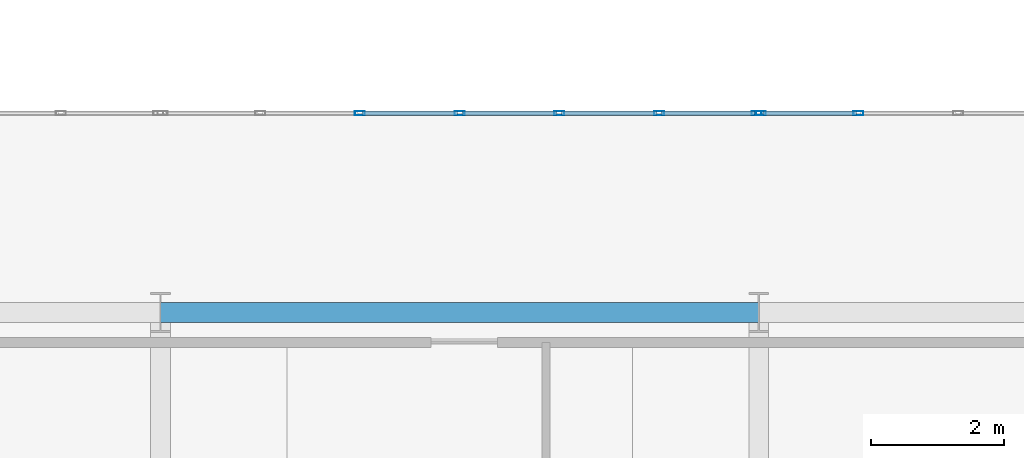
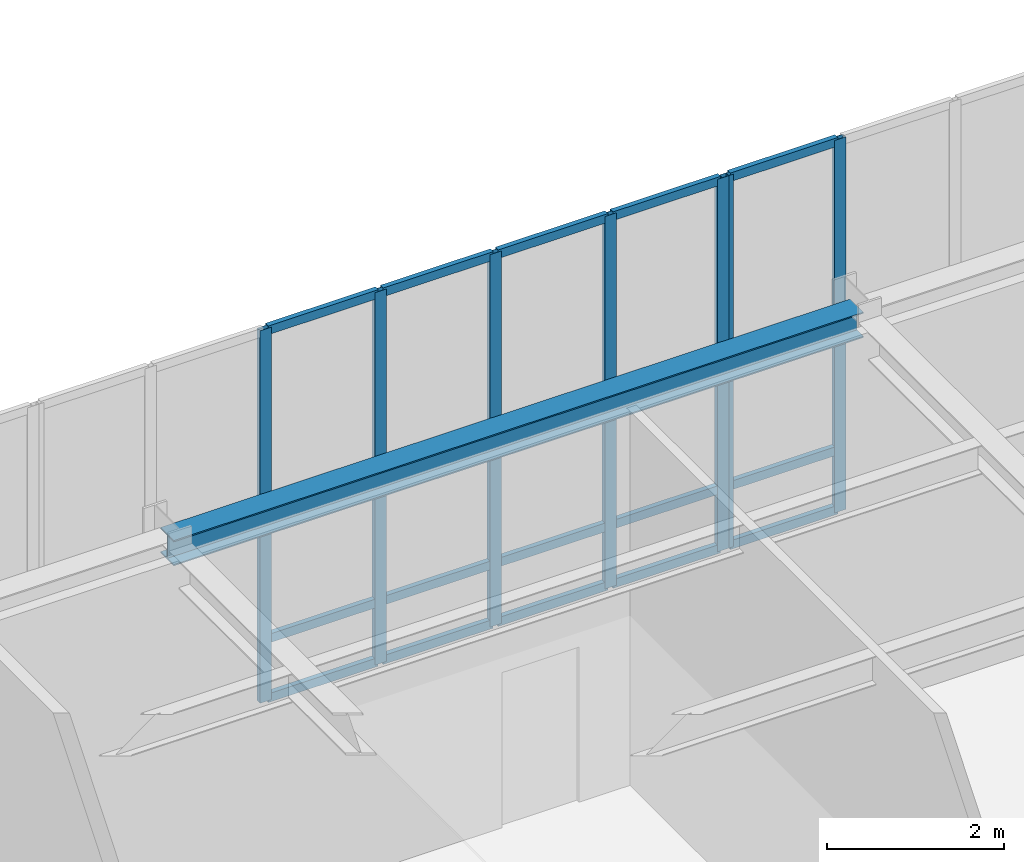
# One storey, part 19 of 77: 22 members, 1 beam, 2 elements without a shape of their own.
"""IFC4 building model written with IfcOpenShell, lengths in metres."""

from ifc_helpers import new_model, si_unit, direction, frame, origin, origin_2d, place, context, subcontext, project, spatial, hollow_rectangle, i_section, extrude, material, material_profile, profile_set, type_object, element, aggregate, save


model = new_model("IFC4")

# Units and contexts
model_context = context("Model", 3, precision=1e-05, world=origin(), true_north=direction((0.0, 1.0)))
body_context = subcontext(model_context, "Body", "Model", "MODEL_VIEW")
ifc_project = project(units=[si_unit("LENGTHUNIT", "METRE"), si_unit("AREAUNIT", "SQUARE_METRE"), si_unit("VOLUMEUNIT", "CUBIC_METRE"), si_unit("PLANEANGLEUNIT", "RADIAN"), si_unit("MASSUNIT", "GRAM", prefix="KILO")], contexts=[model_context])

# Site, building, storey
site_placement = place(None, origin())
site = spatial("IfcSite", under=ifc_project, at=site_placement, CompositionType="ELEMENT")
building_placement = place(site_placement, origin())
building = spatial("IfcBuilding", under=site, at=building_placement, Name="Lykobir Media Centre", CompositionType="ELEMENT")
storey_placement = place(building_placement, origin())
storey = spatial("IfcBuildingStorey", under=building, at=storey_placement, Name="L00", CompositionType="ELEMENT", Elevation=0.0)

# Curtain wall, members
ifc_material_1 = material(Name="Anodized Aluminium AW-6060", Category="aluminium")
curtain_wall_type = type_object("IfcCurtainWallType", Name="CW-COURT-A", PredefinedType="NOTDEFINED", material=ifc_material_1)
curtain_wall_1_placement = place(storey_placement, origin())
curtain_wall_1 = element("IfcCurtainWall", 1, at=curtain_wall_1_placement, inside=storey, type_object=curtain_wall_type, Name="Curtain wall CW2-L00-0011", PredefinedType="NOTDEFINED")
ifc_material_profile_1 = material_profile(ifc_material_1, hollow_rectangle(XDim=0.06494140625, YDim=0.14990234375, WallThickness=0.00341796875, at=origin_2d()), Name="ALU MULLION 65x150")
ifc_profile_set_1 = profile_set([ifc_material_profile_1], Name="Anodized Aluminium AW-6060")
member_type_1 = type_object("IfcMemberType", Name="CWM-150", PredefinedType="MULLION", material=ifc_profile_set_1)
member_1_placement = place(storey_placement, frame((48.0, 21.0, 0.0), z_axis=(0.0, 0.0, 1.0), x_axis=(0.0, 1.0, 0.0)))
member_1 = element("IfcMember", 2, at=member_1_placement, type_object=member_type_1, Name="CW2-L00-0011 mullion 3", PredefinedType="MULLION", context=body_context, shape_type="SweptSolid", body=[
    extrude(hollow_rectangle(XDim=0.06494140625, YDim=0.14990234375, WallThickness=0.00341796875, at=origin_2d()), origin(), (0.0, 0.0, 1.0), 5.139892578125),
])
member_2_placement = place(storey_placement, frame((49.5, 21.0, 0.0), z_axis=(0.0, 0.0, 1.0), x_axis=(0.0, 1.0, 0.0)))
member_2 = element("IfcMember", 3, at=member_2_placement, type_object=member_type_1, Name="CW2-L00-0011 mullion 4", PredefinedType="MULLION", context=body_context, shape_type="SweptSolid", body=[
    extrude(hollow_rectangle(XDim=0.06494140625, YDim=0.14990234375, WallThickness=0.00341796875, at=origin_2d()), origin(), (0.0, 0.0, 1.0), 5.139892578125),
])
member_3_placement = place(storey_placement, frame((51.0, 21.0, 0.0), z_axis=(0.0, 0.0, 1.0), x_axis=(0.0, 1.0, 0.0)))
member_3 = element("IfcMember", 4, at=member_3_placement, type_object=member_type_1, Name="CW2-L00-0011 mullion 5", PredefinedType="MULLION", context=body_context, shape_type="SweptSolid", body=[
    extrude(hollow_rectangle(XDim=0.06494140625, YDim=0.14990234375, WallThickness=0.00341796875, at=origin_2d()), origin(), (0.0, 0.0, 1.0), 5.139892578125),
])
member_4_placement = place(storey_placement, frame((52.5, 21.0, 0.0), z_axis=(0.0, 0.0, 1.0), x_axis=(0.0, 1.0, 0.0)))
member_4 = element("IfcMember", 5, at=member_4_placement, type_object=member_type_1, Name="CW2-L00-0011 mullion 6", PredefinedType="MULLION", context=body_context, shape_type="SweptSolid", body=[
    extrude(hollow_rectangle(XDim=0.06494140625, YDim=0.14990234375, WallThickness=0.00341796875, at=origin_2d()), origin(), (0.0, 0.0, 1.0), 5.139892578125),
])
member_5_placement = place(storey_placement, frame((53.967529296875, 21.0, 0.0), z_axis=(0.0, 0.0, 1.0), x_axis=(0.0, 1.0, 0.0)))
member_5 = element("IfcMember", 6, at=member_5_placement, type_object=member_type_1, Name="CW2-L00-0011 mullion 7", PredefinedType="MULLION", context=body_context, shape_type="SweptSolid", body=[
    extrude(hollow_rectangle(XDim=0.06494140625, YDim=0.14990234375, WallThickness=0.00341796875, at=origin_2d()), origin(), (0.0, 0.0, 1.0), 5.139892578125),
])

curtain_wall_2_placement = place(storey_placement, origin())
curtain_wall_2 = element("IfcCurtainWall", 7, at=curtain_wall_2_placement, inside=storey, type_object=curtain_wall_type, Name="Curtain wall CW2-L00-0012", PredefinedType="NOTDEFINED")
member_6_placement = place(storey_placement, frame((54.032470703125, 21.0, 0.0), z_axis=(0.0, 0.0, 1.0), x_axis=(0.0, 1.0, 0.0)))
member_6 = element("IfcMember", 8, at=member_6_placement, type_object=member_type_1, Name="CW2-L00-0012 mullion 1", PredefinedType="MULLION", context=body_context, shape_type="SweptSolid", body=[
    extrude(hollow_rectangle(XDim=0.06494140625, YDim=0.14990234375, WallThickness=0.00341796875, at=origin_2d()), origin(), (0.0, 0.0, 1.0), 5.139892578125),
])
member_7_placement = place(storey_placement, frame((55.5, 21.0, 0.0), z_axis=(0.0, 0.0, 1.0), x_axis=(0.0, 1.0, 0.0)))
member_7 = element("IfcMember", 9, at=member_7_placement, type_object=member_type_1, Name="CW2-L00-0012 mullion 2", PredefinedType="MULLION", context=body_context, shape_type="SweptSolid", body=[
    extrude(hollow_rectangle(XDim=0.06494140625, YDim=0.14990234375, WallThickness=0.00341796875, at=origin_2d()), origin(), (0.0, 0.0, 1.0), 5.139892578125),
])

# Member
ifc_material_profile_2 = material_profile(ifc_material_1, hollow_rectangle(XDim=0.06494140625, YDim=0.1201171875, WallThickness=0.0029296875, at=origin_2d()), Name="ALU TRANSOM 65x120")
ifc_profile_set_2 = profile_set([ifc_material_profile_2], Name="Anodized Aluminium AW-6060")
member_type_2 = type_object("IfcMemberType", Name="CWT-120", PredefinedType="USERDEFINED", material=ifc_profile_set_2)
member_8_placement = place(storey_placement, frame((48.032470703125, 21.0, 0.032470703125), z_axis=(1.0, 0.0, 0.0), x_axis=(0.0, 1.0, 0.0)))
member_8 = element("IfcMember", 10, at=member_8_placement, type_object=member_type_2, Name="CW2-L00-0011 transom 3.1", ObjectType="TRANSOM", PredefinedType="USERDEFINED", context=body_context, shape_type="SweptSolid", body=[
    extrude(hollow_rectangle(XDim=0.06494140625, YDim=0.1201171875, WallThickness=0.0029296875, at=origin_2d()), origin(), (0.0, 0.0, 1.0), 1.43505859375),
])

member_9_placement = place(storey_placement, frame((48.032470703125, 21.0, 0.85009765625), z_axis=(1.0, 0.0, 0.0), x_axis=(0.0, 1.0, 0.0)))
member_9 = element("IfcMember", 11, at=member_9_placement, type_object=member_type_2, Name="CW2-L00-0011 transom 3.2", ObjectType="TRANSOM", PredefinedType="USERDEFINED", context=body_context, shape_type="SweptSolid", body=[
    extrude(hollow_rectangle(XDim=0.06494140625, YDim=0.1201171875, WallThickness=0.0029296875, at=origin_2d()), origin(), (0.0, 0.0, 1.0), 1.43505859375),
])

member_10_placement = place(storey_placement, frame((48.032470703125, 21.0, 5.107421875), z_axis=(1.0, 0.0, 0.0), x_axis=(0.0, 1.0, 0.0)))
member_10 = element("IfcMember", 12, at=member_10_placement, type_object=member_type_2, Name="CW2-L00-0011 transom 3.3", ObjectType="TRANSOM", PredefinedType="USERDEFINED", context=body_context, shape_type="SweptSolid", body=[
    extrude(hollow_rectangle(XDim=0.06494140625, YDim=0.1201171875, WallThickness=0.0029296875, at=origin_2d()), origin(), (0.0, 0.0, 1.0), 1.43505859375),
])

member_11_placement = place(storey_placement, frame((49.532470703125, 21.0, 0.032470703125), z_axis=(1.0, 0.0, 0.0), x_axis=(0.0, 1.0, 0.0)))
member_11 = element("IfcMember", 13, at=member_11_placement, type_object=member_type_2, Name="CW2-L00-0011 transom 4.1", ObjectType="TRANSOM", PredefinedType="USERDEFINED", context=body_context, shape_type="SweptSolid", body=[
    extrude(hollow_rectangle(XDim=0.06494140625, YDim=0.1201171875, WallThickness=0.0029296875, at=origin_2d()), origin(), (0.0, 0.0, 1.0), 1.43505859375),
])

member_12_placement = place(storey_placement, frame((49.532470703125, 21.0, 0.85009765625), z_axis=(1.0, 0.0, 0.0), x_axis=(0.0, 1.0, 0.0)))
member_12 = element("IfcMember", 14, at=member_12_placement, type_object=member_type_2, Name="CW2-L00-0011 transom 4.2", ObjectType="TRANSOM", PredefinedType="USERDEFINED", context=body_context, shape_type="SweptSolid", body=[
    extrude(hollow_rectangle(XDim=0.06494140625, YDim=0.1201171875, WallThickness=0.0029296875, at=origin_2d()), origin(), (0.0, 0.0, 1.0), 1.43505859375),
])

member_13_placement = place(storey_placement, frame((49.532470703125, 21.0, 5.107421875), z_axis=(1.0, 0.0, 0.0), x_axis=(0.0, 1.0, 0.0)))
member_13 = element("IfcMember", 15, at=member_13_placement, type_object=member_type_2, Name="CW2-L00-0011 transom 4.3", ObjectType="TRANSOM", PredefinedType="USERDEFINED", context=body_context, shape_type="SweptSolid", body=[
    extrude(hollow_rectangle(XDim=0.06494140625, YDim=0.1201171875, WallThickness=0.0029296875, at=origin_2d()), origin(), (0.0, 0.0, 1.0), 1.43505859375),
])

member_14_placement = place(storey_placement, frame((51.032470703125, 21.0, 0.032470703125), z_axis=(1.0, 0.0, 0.0), x_axis=(0.0, 1.0, 0.0)))
member_14 = element("IfcMember", 16, at=member_14_placement, type_object=member_type_2, Name="CW2-L00-0011 transom 5.1", ObjectType="TRANSOM", PredefinedType="USERDEFINED", context=body_context, shape_type="SweptSolid", body=[
    extrude(hollow_rectangle(XDim=0.06494140625, YDim=0.1201171875, WallThickness=0.0029296875, at=origin_2d()), origin(), (0.0, 0.0, 1.0), 1.43505859375),
])

member_15_placement = place(storey_placement, frame((51.032470703125, 21.0, 0.85009765625), z_axis=(1.0, 0.0, 0.0), x_axis=(0.0, 1.0, 0.0)))
member_15 = element("IfcMember", 17, at=member_15_placement, type_object=member_type_2, Name="CW2-L00-0011 transom 5.2", ObjectType="TRANSOM", PredefinedType="USERDEFINED", context=body_context, shape_type="SweptSolid", body=[
    extrude(hollow_rectangle(XDim=0.06494140625, YDim=0.1201171875, WallThickness=0.0029296875, at=origin_2d()), origin(), (0.0, 0.0, 1.0), 1.43505859375),
])

member_16_placement = place(storey_placement, frame((51.032470703125, 21.0, 5.107421875), z_axis=(1.0, 0.0, 0.0), x_axis=(0.0, 1.0, 0.0)))
member_16 = element("IfcMember", 18, at=member_16_placement, type_object=member_type_2, Name="CW2-L00-0011 transom 5.3", ObjectType="TRANSOM", PredefinedType="USERDEFINED", context=body_context, shape_type="SweptSolid", body=[
    extrude(hollow_rectangle(XDim=0.06494140625, YDim=0.1201171875, WallThickness=0.0029296875, at=origin_2d()), origin(), (0.0, 0.0, 1.0), 1.43505859375),
])

member_17_placement = place(storey_placement, frame((52.532470703125, 21.0, 0.032470703125), z_axis=(1.0, 0.0, 0.0), x_axis=(0.0, 1.0, 0.0)))
member_17 = element("IfcMember", 19, at=member_17_placement, type_object=member_type_2, Name="CW2-L00-0011 transom 6.1", ObjectType="TRANSOM", PredefinedType="USERDEFINED", context=body_context, shape_type="SweptSolid", body=[
    extrude(hollow_rectangle(XDim=0.06494140625, YDim=0.1201171875, WallThickness=0.0029296875, at=origin_2d()), origin(), (0.0, 0.0, 1.0), 1.402587890625),
])

member_18_placement = place(storey_placement, frame((52.532470703125, 21.0, 0.85009765625), z_axis=(1.0, 0.0, 0.0), x_axis=(0.0, 1.0, 0.0)))
member_18 = element("IfcMember", 20, at=member_18_placement, type_object=member_type_2, Name="CW2-L00-0011 transom 6.2", ObjectType="TRANSOM", PredefinedType="USERDEFINED", context=body_context, shape_type="SweptSolid", body=[
    extrude(hollow_rectangle(XDim=0.06494140625, YDim=0.1201171875, WallThickness=0.0029296875, at=origin_2d()), origin(), (0.0, 0.0, 1.0), 1.402587890625),
])

member_19_placement = place(storey_placement, frame((52.532470703125, 21.0, 5.107421875), z_axis=(1.0, 0.0, 0.0), x_axis=(0.0, 1.0, 0.0)))
member_19 = element("IfcMember", 21, at=member_19_placement, type_object=member_type_2, Name="CW2-L00-0011 transom 6.3", ObjectType="TRANSOM", PredefinedType="USERDEFINED", context=body_context, shape_type="SweptSolid", body=[
    extrude(hollow_rectangle(XDim=0.06494140625, YDim=0.1201171875, WallThickness=0.0029296875, at=origin_2d()), origin(), (0.0, 0.0, 1.0), 1.402587890625),
])

aggregate(curtain_wall_1, [member_1, member_2, member_3, member_4, member_5, member_8, member_9, member_10, member_11, member_12, member_13, member_14, member_15, member_16, member_17, member_18, member_19])

member_20_placement = place(storey_placement, frame((54.06494140625, 21.0, 0.032470703125), z_axis=(1.0, 0.0, 0.0), x_axis=(0.0, 1.0, 0.0)))
member_20 = element("IfcMember", 22, at=member_20_placement, type_object=member_type_2, Name="CW2-L00-0012 transom 1.1", ObjectType="TRANSOM", PredefinedType="USERDEFINED", context=body_context, shape_type="SweptSolid", body=[
    extrude(hollow_rectangle(XDim=0.06494140625, YDim=0.1201171875, WallThickness=0.0029296875, at=origin_2d()), origin(), (0.0, 0.0, 1.0), 1.402587890625),
])

member_21_placement = place(storey_placement, frame((54.06494140625, 21.0, 0.85009765625), z_axis=(1.0, 0.0, 0.0), x_axis=(0.0, 1.0, 0.0)))
member_21 = element("IfcMember", 23, at=member_21_placement, type_object=member_type_2, Name="CW2-L00-0012 transom 1.2", ObjectType="TRANSOM", PredefinedType="USERDEFINED", context=body_context, shape_type="SweptSolid", body=[
    extrude(hollow_rectangle(XDim=0.06494140625, YDim=0.1201171875, WallThickness=0.0029296875, at=origin_2d()), origin(), (0.0, 0.0, 1.0), 1.402587890625),
])

member_22_placement = place(storey_placement, frame((54.06494140625, 21.0, 5.107421875), z_axis=(1.0, 0.0, 0.0), x_axis=(0.0, 1.0, 0.0)))
member_22 = element("IfcMember", 24, at=member_22_placement, type_object=member_type_2, Name="CW2-L00-0012 transom 1.3", ObjectType="TRANSOM", PredefinedType="USERDEFINED", context=body_context, shape_type="SweptSolid", body=[
    extrude(hollow_rectangle(XDim=0.06494140625, YDim=0.1201171875, WallThickness=0.0029296875, at=origin_2d()), origin(), (0.0, 0.0, 1.0), 1.402587890625),
])

aggregate(curtain_wall_2, [member_6, member_7, member_20, member_21, member_22])

# Beam
ifc_material_2 = material(Name="Steel S355", Category="steel")
ifc_material_profile_3 = material_profile(ifc_material_2, i_section(OverallWidth=0.300048828125, OverallDepth=0.35009765625, WebThickness=0.010009765625, FlangeThickness=0.017578125, at=origin_2d()), Name="HEA 360")
ifc_profile_set_3 = profile_set([ifc_material_profile_3], Name="Steel S355")
beam_type = type_object("IfcBeamType", Name="SP-HEA360", PredefinedType="SPANDREL", material=ifc_profile_set_3)
beam_placement = place(storey_placement, frame((45.0, 18.0, 4.985107421875), z_axis=(1.0, 0.0, 0.0), x_axis=(0.0, 1.0, 0.0)))
element("IfcBeam", 25, at=beam_placement, inside=storey, type_object=beam_type, Name="Beam BM-L00-0450-0180-0540-0180-499", PredefinedType="SPANDREL", context=body_context, shape_type="SweptSolid", body=[
    extrude(i_section(OverallWidth=0.300048828125, OverallDepth=0.35009765625, WebThickness=0.010009765625, FlangeThickness=0.017578125, at=origin_2d()), origin(), (0.0, 0.0, 1.0), 9.0),
])

save(model, "model.ifc")
